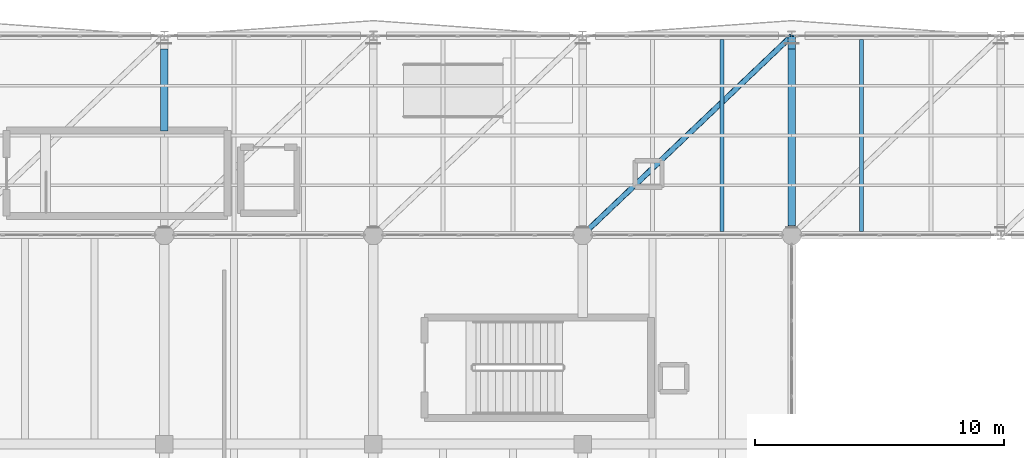
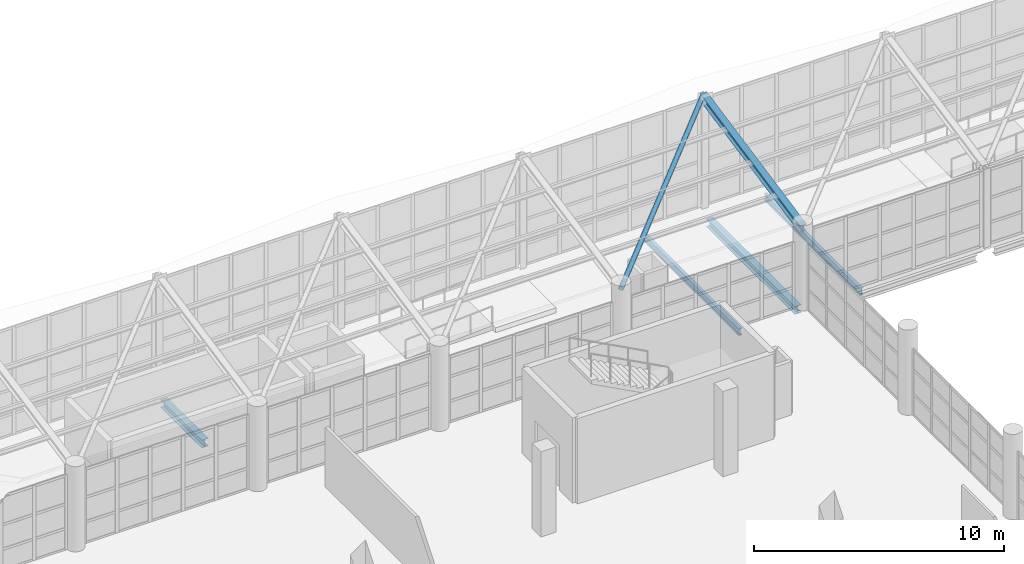
# One storey, part 100 of 177: 4 beams, 2 members.
"""IFC4 building model written with IfcOpenShell, lengths in metres."""

from ifc_helpers import new_model, si_unit, direction, frame, origin, origin_2d, place, context, subcontext, project, spatial, hollow_circle, i_section, extrude, material, material_profile, profile_set, type_object, element, save


model = new_model("IFC4")

# Units and contexts
model_context = context("Model", 3, precision=1e-05, world=origin(), true_north=direction((0.0, 1.0)))
body_context = subcontext(model_context, "Body", "Model", "MODEL_VIEW")
ifc_project = project(units=[si_unit("LENGTHUNIT", "METRE"), si_unit("AREAUNIT", "SQUARE_METRE"), si_unit("VOLUMEUNIT", "CUBIC_METRE"), si_unit("PLANEANGLEUNIT", "RADIAN"), si_unit("MASSUNIT", "GRAM", prefix="KILO"), si_unit("THERMODYNAMICTEMPERATUREUNIT", "KELVIN"), si_unit("POWERUNIT", "WATT")], contexts=[model_context])

# Site, building, storey
site_placement = place(None, origin())
site = spatial("IfcSite", under=ifc_project, at=site_placement, CompositionType="ELEMENT")
building_placement = place(site_placement, origin())
building = spatial("IfcBuilding", under=site, at=building_placement, Name="Mavoryth Pier Ferry Terminal", CompositionType="ELEMENT")
storey_placement = place(building_placement, frame((0.0, 0.0, 5.43994140625)))
storey = spatial("IfcBuildingStorey", under=building, at=storey_placement, Name="L01", CompositionType="ELEMENT", Elevation=5.43994140625)

# Beams
ifc_material = material(Name="Steel S355J2", Category="steel")
ifc_material_profile_1 = material_profile(ifc_material, i_section(OverallWidth=0.300048828125, OverallDepth=0.389892578125, WebThickness=0.010986328125, FlangeThickness=0.01904296875, FilletRadius=0.027099609375, at=origin_2d()), Name="HEA 400", Category="steel")
ifc_profile_set_1 = profile_set([ifc_material_profile_1], Name="Steel S355J2 - HEA 400")
beam_type_1 = type_object("IfcBeamType", Name="Beam-Steel-HEA400", PredefinedType="BEAM", material=ifc_profile_set_1)
beam_1_placement = place(storey_placement, frame((67.199951171875, 110.179931640625, -0.43505859375), z_axis=(0.0, 1.0, 0.0), x_axis=(-1.0, 0.0, 0.0)))
element("IfcBeam", 1, at=beam_1_placement, inside=storey, type_object=beam_type_1, Name="Beam B01-SB04-0280", PredefinedType="BEAM", context=body_context, shape_type="SweptSolid", body=[
    extrude(i_section(OverallWidth=0.300048828125, OverallDepth=0.389892578125, WebThickness=0.010986328125, FlangeThickness=0.01904296875, FilletRadius=0.027099609375, at=origin_2d()), origin(), (0.0, 0.0, 1.0), 3.295166015625),
])
beam_2_placement = place(storey_placement, frame((92.39990234375, 106.389892578125, -0.43505859375), z_axis=(0.0, 1.0, 0.0), x_axis=(-1.0, 0.0, 0.0)))
element("IfcBeam", 2, at=beam_2_placement, inside=storey, type_object=beam_type_1, Name="Beam B01-SB04-0283", PredefinedType="BEAM", context=body_context, shape_type="SweptSolid", body=[
    extrude(i_section(OverallWidth=0.300048828125, OverallDepth=0.389892578125, WebThickness=0.010986328125, FlangeThickness=0.01904296875, FilletRadius=0.027099609375, at=origin_2d()), origin(), (0.0, 0.0, 1.0), 7.085205078125),
])

# Member
ifc_material_profile_2 = material_profile(ifc_material, hollow_circle(Radius=0.109619140625, WallThickness=0.010009765625, at=origin_2d()), Name="CHS 219.1x10.0", Category="steel")
ifc_profile_set_2 = profile_set([ifc_material_profile_2], Name="Steel S355J2 - CHS 219.1x10.0")
member_type_1 = type_object("IfcMemberType", Name="Brace-Diag-CHS219", PredefinedType="BRACE", material=ifc_profile_set_2)
member_1_placement = place(storey_placement, frame((84.0, 106.0, 3.771240234375), z_axis=(0.717108654399, 0.682968563255, 0.138957257423), x_axis=(-0.689659376744, 0.724133926887, 0.0)))
element("IfcMember", 3, at=member_1_placement, inside=storey, type_object=member_type_1, Name="Steel Member MB-L01-0269", PredefinedType="BRACE", context=body_context, shape_type="SweptSolid", body=[
    extrude(hollow_circle(Radius=0.109619140625, WallThickness=0.010009765625, at=origin_2d()), origin(), (0.0, 0.0, 1.0), 11.713623046875),
])

# Beams
ifc_material_profile_3 = material_profile(ifc_material, i_section(OverallWidth=0.159912109375, OverallDepth=0.330078125, WebThickness=0.007568359375, FlangeThickness=0.011474609375, FilletRadius=0.01806640625, at=origin_2d()), Name="IPE 330", Category="steel")
ifc_profile_set_3 = profile_set([ifc_material_profile_3], Name="Steel S355J2 - IPE 330")
beam_type_2 = type_object("IfcBeamType", Name="Joist-Steel-IPE330", PredefinedType="JOIST", material=ifc_profile_set_3)
for number, where, z_axis, x_axis, name in (
    (4, (89.60009765625, 106.14990234375, -0.405029296875), (0.0, 1.0, 0.0), (-1.0, 0.0, 0.0), "Beam B01-SJ03-0298"),
    (5, (95.199951171875, 106.14990234375, -0.405029296875), (0.0, 1.0, 0.0), (-1.0, 0.0, 0.0), "Beam B01-SJ03-0299"),
):
    element("IfcBeam", number, at=place(storey_placement, frame(where, z_axis=z_axis, x_axis=x_axis)), inside=storey, type_object=beam_type_2, Name=name, PredefinedType="JOIST", context=body_context, shape_type="SweptSolid", body=[
        extrude(i_section(OverallWidth=0.159912109375, OverallDepth=0.330078125, WebThickness=0.007568359375, FlangeThickness=0.011474609375, FilletRadius=0.01806640625, at=origin_2d()), origin(), (0.0, 0.0, 1.0), 7.7001953125),
    ])

# Member
ifc_material_profile_4 = material_profile(ifc_material, i_section(OverallWidth=0.300048828125, OverallDepth=0.35009765625, WebThickness=0.010009765625, FlangeThickness=0.017578125, FilletRadius=0.027099609375, at=origin_2d()), Name="HEA 360", Category="steel")
ifc_profile_set_4 = profile_set([ifc_material_profile_4], Name="Steel S355J2 - HEA 360")
member_type_2 = type_object("IfcMemberType", Name="Rafter-Gallery-HEA360", PredefinedType="RAFTER", material=ifc_profile_set_4)
member_2_placement = place(storey_placement, frame((92.39990234375, 106.0, 3.771240234375), z_axis=(0.0, 0.979923097627, 0.199375832882), x_axis=(-1.0, 0.0, 0.0)))
element("IfcMember", 6, at=member_2_placement, inside=storey, type_object=member_type_2, Name="Steel Member MB-L01-0242", PredefinedType="RAFTER", context=body_context, shape_type="SweptSolid", body=[
    extrude(i_section(OverallWidth=0.300048828125, OverallDepth=0.35009765625, WebThickness=0.010009765625, FlangeThickness=0.017578125, FilletRadius=0.027099609375, at=origin_2d()), origin(), (0.0, 0.0, 1.0), 8.163818359375),
])

save(model, "model.ifc")
